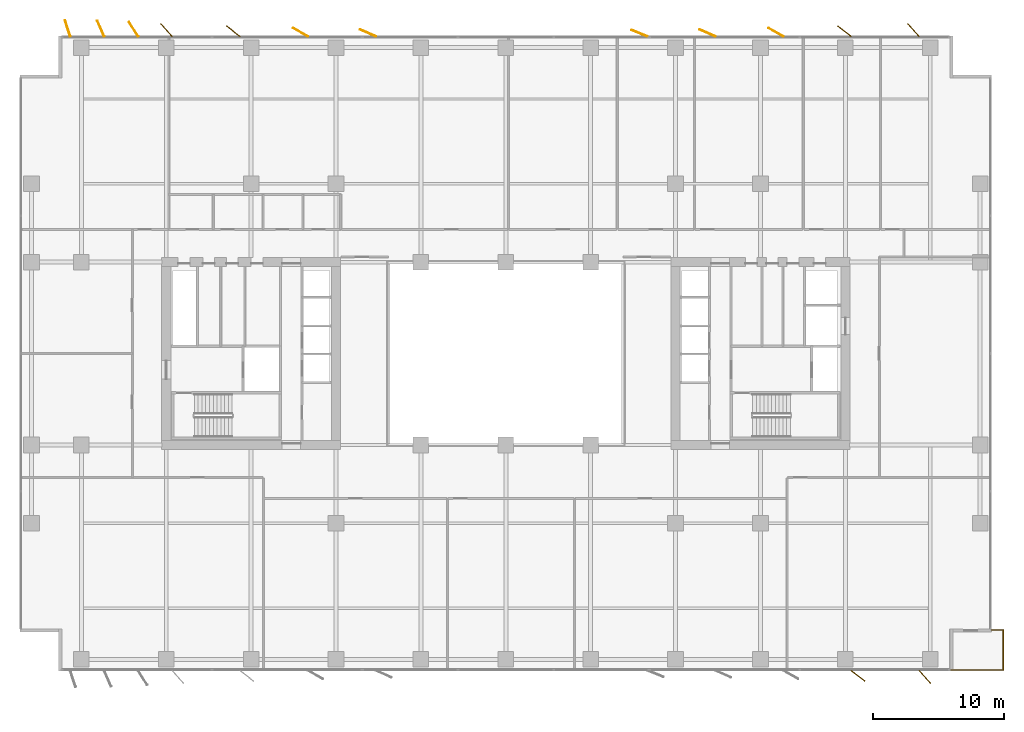
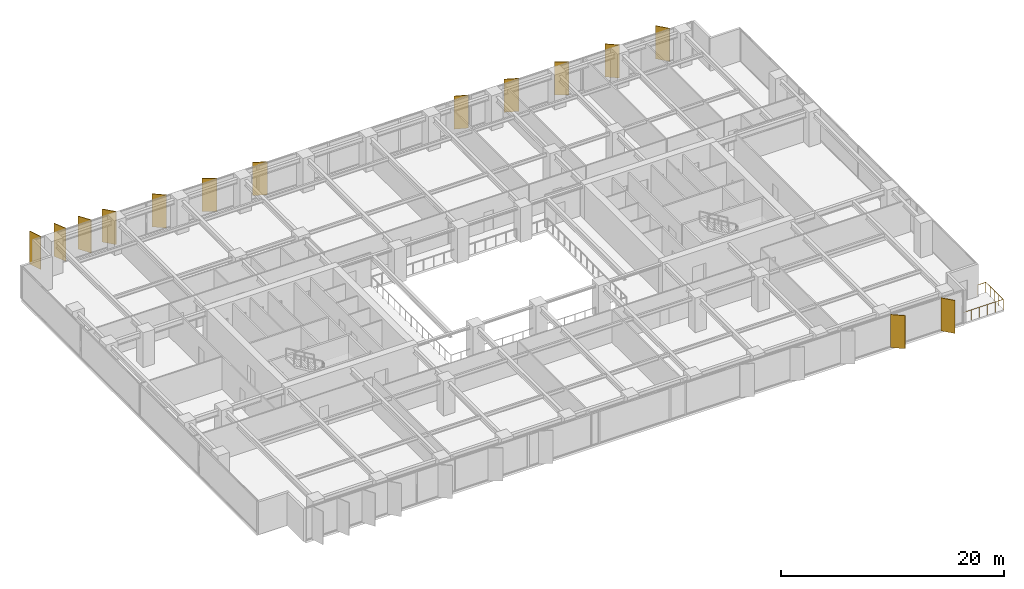
# One storey, part 20 of 20: 14 shading devices, 1 railing.
"""IFC4 building model written with IfcOpenShell, lengths in metres."""

from ifc_helpers import new_model, si_unit, direction, frame, origin, origin_2d, place, context, subcontext, project, spatial, rectangle, circle, extrude, material, layer, layer_set, type_object, element, save


model = new_model("IFC4")

# Units and contexts
model_context = context("Model", 3, precision=1e-05, world=origin(), true_north=direction((0.0, 1.0)))
body_context = subcontext(model_context, "Body", "Model", "MODEL_VIEW")
ifc_project = project(units=[si_unit("LENGTHUNIT", "METRE"), si_unit("AREAUNIT", "SQUARE_METRE"), si_unit("VOLUMEUNIT", "CUBIC_METRE"), si_unit("PLANEANGLEUNIT", "RADIAN"), si_unit("MASSUNIT", "GRAM", prefix="KILO")], contexts=[model_context])

# Site, building, storey
site_placement = place(None, origin())
site = spatial("IfcSite", under=ifc_project, at=site_placement, CompositionType="ELEMENT")
building_placement = place(site_placement, origin())
building = spatial("IfcBuilding", under=site, at=building_placement, Name="Putna Gate Headquarters", CompositionType="ELEMENT")
storey_placement = place(building_placement, frame((0.0, 0.0, 108.800048828125)))
storey = spatial("IfcBuildingStorey", under=building, at=storey_placement, Name="L26", CompositionType="ELEMENT", Elevation=108.800048828125)

# Railing
ifc_material_1 = material(Name="Anodised bronze steel and laminated glass guardrail", Category="steel")
railing_type = type_object("IfcRailingType", Name="RAIL-TERR-GUARD-1150", PredefinedType="GUARDRAIL", material=ifc_material_1)
railing_placement = place(storey_placement, frame((73.0, 1.760009765625, 0.0)))
element("IfcRailing", 1, at=railing_placement, inside=storey, type_object=railing_type, Name="L26 Spiral Sky Terrace Guardrail SE", PredefinedType="GUARDRAIL", context=body_context, shape_type="SweptSolid", body=[
    extrude(circle(Radius=0.02392578125, at=origin_2d()), frame((0.0, 0.0, 1.1259765625), z_axis=(1.0, 0.0, 0.0), x_axis=(0.0, 1.0, 0.0)), (0.0, 0.0, 1.0), 4.090087890625),
    extrude(circle(Radius=0.02392578125, at=origin_2d()), frame((4.090087890625, 0.0, 1.1259765625), z_axis=(0.0, 1.0, 0.0), x_axis=(-1.0, 0.0, 0.0)), (0.0, 0.0, 1.0), 3.080078125),
    extrude(circle(Radius=0.02392578125, at=origin_2d()), frame((4.090087890625, 3.080078125, 1.1259765625), z_axis=(-1.0, 0.0, 0.0), x_axis=(0.0, -1.0, 0.0)), (0.0, 0.0, 1.0), 0.89013671875),
    extrude(circle(Radius=0.02099609375, at=origin_2d()), origin(), (0.0, 0.0, 1.0), 1.101806640625),
    extrude(circle(Radius=0.02099609375, at=origin_2d()), frame((0.818115234375, 0.0, 0.0)), (0.0, 0.0, 1.0), 1.101806640625),
    extrude(circle(Radius=0.02099609375, at=origin_2d()), frame((1.635986328125, 0.0, 0.0)), (0.0, 0.0, 1.0), 1.101806640625),
    extrude(circle(Radius=0.02099609375, at=origin_2d()), frame((2.4541015625, 0.0, 0.0)), (0.0, 0.0, 1.0), 1.101806640625),
    extrude(circle(Radius=0.02099609375, at=origin_2d()), frame((3.27197265625, 0.0, 0.0)), (0.0, 0.0, 1.0), 1.101806640625),
    extrude(circle(Radius=0.02099609375, at=origin_2d()), frame((4.090087890625, 0.0, 0.0)), (0.0, 0.0, 1.0), 1.101806640625),
    extrude(circle(Radius=0.02099609375, at=origin_2d()), frame((4.090087890625, 0.77001953125, 0.0)), (0.0, 0.0, 1.0), 1.101806640625),
    extrude(circle(Radius=0.02099609375, at=origin_2d()), frame((4.090087890625, 1.5400390625, 0.0)), (0.0, 0.0, 1.0), 1.101806640625),
    extrude(circle(Radius=0.02099609375, at=origin_2d()), frame((4.090087890625, 2.31005859375, 0.0)), (0.0, 0.0, 1.0), 1.101806640625),
    extrude(circle(Radius=0.02099609375, at=origin_2d()), frame((4.090087890625, 3.080078125, 0.0)), (0.0, 0.0, 1.0), 1.101806640625),
    extrude(circle(Radius=0.02099609375, at=origin_2d()), frame((3.199951171875, 3.080078125, 0.0)), (0.0, 0.0, 1.0), 1.101806640625),
])

# Shading devices
ifc_material_2 = material(Name="Anodised architectural bronze aluminium fin", Category="aluminium")
ifc_layer = layer(ifc_material_2, 0.06494140625)
ifc_layer_set = layer_set([ifc_layer], Name="Anodised architectural bronze aluminium fin")
shading_device_type = type_object("IfcShadingDeviceType", Name="SHADE-BRONZE-FIN-1320", PredefinedType="USERDEFINED", material=ifc_layer_set)
for number, where, z_axis, x_axis, name in (
    (2, (5.4462890625, 50.90283203125, -0.02001953125), (0.0, 0.0, 1.0), (-0.308684994204, 0.951164325631, 0.0), "L26 Bronze Vertical Shading Fin N1"),
    (3, (7.985595703125, 50.879638671875, -0.02001953125), (0.0, 0.0, 1.0), (-0.400668879095, 0.916222925562, 0.0), "L26 Bronze Vertical Shading Fin N2"),
    (4, (10.499755859375, 50.83447265625, -0.02001953125), (0.0, 0.0, 1.0), (-0.530659123936, 0.847585331506, 0.0), "L26 Bronze Vertical Shading Fin N3"),
    (5, (13.00830078125, 50.765380859375, -0.02001953125), (0.0, 0.0, 1.0), (-0.669130606359, 0.743144825477, 0.0), "L26 Bronze Vertical Shading Fin N4"),
    (6, (18.13037109375, 50.681884765625, -0.02001953125), (0.0, 0.0, 1.0), (-0.787473187632, 0.616348909921, 0.0), "L26 Bronze Vertical Shading Fin N5"),
    (7, (23.276123046875, 50.601318359375, -0.02001953125), (0.0, 0.0, 1.0), (-0.869322458298, 0.494245347472, 0.0), "L26 Bronze Vertical Shading Fin N6"),
    (8, (28.447021484375, 50.543212890625, -0.02001953125), (0.0, 0.0, 1.0), (-0.913687379856, 0.40641773078, 0.0), "L26 Bronze Vertical Shading Fin N7"),
    (9, (49.238037109375, 50.522216796875, -0.02001953125), (0.0, 0.0, 1.0), (-0.927183854567, 0.374606593416, 0.0), "L26 Bronze Vertical Shading Fin N8"),
    (10, (54.447021484375, 50.543212890625, -0.02001953125), (0.0, 0.0, 1.0), (-0.913687379856, 0.40641773078, 0.0), "L26 Bronze Vertical Shading Fin N9"),
    (11, (59.67626953125, 50.601318359375, -0.02001953125), (0.0, 0.0, 1.0), (-0.869322458298, 0.494245347472, 0.0), "L26 Bronze Vertical Shading Fin N10"),
    (12, (65.9697265625, 1.318115234375, -0.02001953125), (0.0, 0.0, 1.0), (0.787473187632, -0.616348909921, 0.0), "L26 Bronze Vertical Shading Fin S11"),
    (13, (64.930419921875, 50.681884765625, -0.02001953125), (0.0, 0.0, 1.0), (-0.787473187632, 0.616348909921, 0.0), "L26 Bronze Vertical Shading Fin N11"),
    (14, (71.091552734375, 1.234619140625, -0.02001953125), (0.0, 0.0, 1.0), (0.669130606359, -0.743144825477, 0.0), "L26 Bronze Vertical Shading Fin S12"),
    (15, (70.20849609375, 50.765380859375, -0.02001953125), (0.0, 0.0, 1.0), (-0.669130606359, 0.743144825477, 0.0), "L26 Bronze Vertical Shading Fin N12"),
):
    element("IfcShadingDevice", number, at=place(storey_placement, frame(where, z_axis=z_axis, x_axis=x_axis)), inside=storey, type_object=shading_device_type, Name=name, ObjectType="FIN", PredefinedType="USERDEFINED", context=body_context, shape_type="SweptSolid", body=[
        extrude(rectangle(XDim=1.320068359375, YDim=0.06494140625, at=origin_2d()), origin(), (0.0, 0.0, 1.0), 3.60498046875),
    ])

save(model, "model.ifc")
